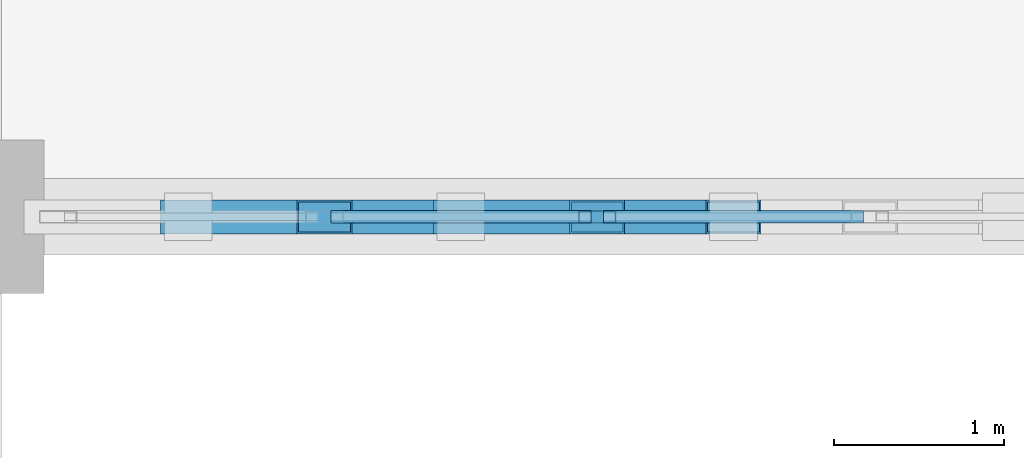
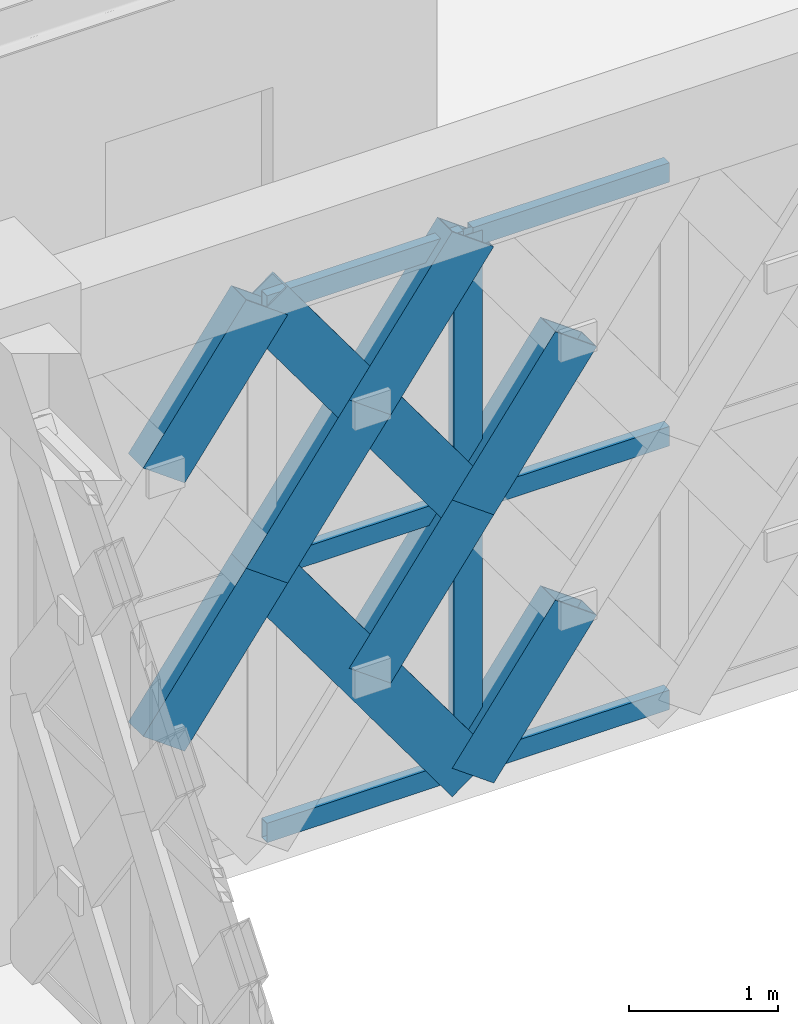
# One storey, part 75 of 155: 16 members, 1 element without a shape of its own.
"""IFC4 building model written with IfcOpenShell, lengths in metres."""

import ifcopenshell
import ifcopenshell.guid

model = None  # the IFC model being written
_history = None  # IfcOwnerHistory: only IFC2X3 demands one
_inside = {}  # id of a spatial element -> (the spatial element, [elements in it])
_under = {}  # id of a project, library or spatial element -> (it, [spatial elements below it])
_declared = {}  # id of a project -> (the project, [libraries it declares])
_typed = {}  # id of a type object -> (the type object, [elements of that type])
_made_of = {}  # id of a material, layer set ... -> (it, [elements and type objects made of it])


def new_model(schema):
    """Start an empty IFC model of exactly this schema.

    Asked for "IFC4X3", IfcOpenShell would pick the latest addendum, in which some entities
    have other attributes; the version numbers below select the first issue.
    IFC2X3 requires an IfcOwnerHistory on every rooted entity: one is made here for all.
    """
    global model, _history
    if schema == "IFC4X3":
        model = ifcopenshell.file(schema_version=(4, 3, 0, 0))
    else:
        model = ifcopenshell.file(schema=schema)
    _inside.clear()
    _under.clear()
    _declared.clear()
    _typed.clear()
    _made_of.clear()
    _history = None
    if model.schema == "IFC2X3":
        org = make("IfcOrganization", Name="unknown")
        user = make(
            "IfcPersonAndOrganization",
            ThePerson=make("IfcPerson", FamilyName="unknown"),
            TheOrganization=org,
        )
        app = make(
            "IfcApplication",
            ApplicationDeveloper=org,
            Version="unknown",
            ApplicationFullName="unknown",
            ApplicationIdentifier="unknown",
        )
        _history = make(
            "IfcOwnerHistory",
            OwningUser=user,
            OwningApplication=app,
            ChangeAction="ADDED",
            CreationDate=0,
        )
    return model


def make(cls, **values):
    """One entity of the class cls with the attributes given. An attribute that is None is left unset."""
    return model.create_entity(
        cls, **{name: value for name, value in values.items() if value is not None}
    )


def rooted(cls, **values):
    """An entity with a GlobalId (a new one), such as an element, a storey or a relation."""
    return make(cls, GlobalId=ifcopenshell.guid.new(), OwnerHistory=_history, **values)


def si_unit(unit_type, name, prefix=None):
    """IfcSIUnit, for example si_unit("LENGTHUNIT", "METRE", prefix="MILLI")."""
    return make("IfcSIUnit", UnitType=unit_type, Prefix=prefix, Name=name)


def assignment(units):
    """IfcUnitAssignment: the units of a project."""
    return None if units is None else make("IfcUnitAssignment", Units=units)


def point(xyz):
    """IfcCartesianPoint."""
    return None if xyz is None else make("IfcCartesianPoint", Coordinates=xyz)


def direction(xyz):
    """IfcDirection."""
    return None if xyz is None else make("IfcDirection", DirectionRatios=xyz)


def frame(location, z_axis=None, x_axis=None):
    """IfcAxis2Placement3D, a coordinate frame: its origin and axes. An axis left out is left unset."""
    return make(
        "IfcAxis2Placement3D",
        Location=point(location),
        Axis=direction(z_axis),
        RefDirection=direction(x_axis),
    )


def frame_2d(location, x_axis=None):
    """IfcAxis2Placement2D, a coordinate frame in the plane: its origin and x axis."""
    return make(
        "IfcAxis2Placement2D", Location=point(location), RefDirection=direction(x_axis)
    )


def origin():
    """The frame at (0, 0, 0) with its axes left unset."""
    return frame((0.0, 0.0, 0.0))


def origin_2d():
    """The frame at (0, 0) in the plane with its x axis left unset."""
    return frame_2d((0.0, 0.0))


def place(relative_to, where):
    """IfcLocalPlacement: puts the frame where relative to a parent placement (None: the world)."""
    return make(
        "IfcLocalPlacement", PlacementRelTo=relative_to, RelativePlacement=where
    )


def context(
    kind, dimensions, precision=None, world=None, true_north=None, identifier=None
):
    """IfcGeometricRepresentationContext, for example the 3D "Model" context."""
    return make(
        "IfcGeometricRepresentationContext",
        ContextIdentifier=identifier,
        ContextType=kind,
        CoordinateSpaceDimension=dimensions,
        Precision=precision,
        WorldCoordinateSystem=world,
        TrueNorth=true_north,
    )


def subcontext(parent, identifier, kind, view, scale=None):
    """IfcGeometricRepresentationSubContext, for example "Body" below "Model"."""
    return make(
        "IfcGeometricRepresentationSubContext",
        ContextIdentifier=identifier,
        ContextType=kind,
        ParentContext=parent,
        TargetScale=scale,
        TargetView=view,
    )


def project(units=None, contexts=None):
    """IfcProject with its units and contexts."""
    return rooted(
        "IfcProject",
        Name="project",
        RepresentationContexts=contexts,
        UnitsInContext=assignment(units),
    )


def spatial(cls, under=None, at=None, **own):
    """A site, building, storey or space (cls), placed at a placement, below another one or the project."""
    s = rooted(cls, ObjectPlacement=at, **own)
    if under is not None:
        _under.setdefault(under.id(), (under, []))[1].append(s)
    return s


def profile(cls, at=None, kind="AREA", **sizes):
    """A parametric profile (cls). Its sizes go by their IFC names, for example OverallWidth=200.0."""
    return make(cls, ProfileType=kind, Position=at, **sizes)


def hollow_rectangle(**sizes):
    """IfcRectangleHollowProfileDef."""
    return profile("IfcRectangleHollowProfileDef", **sizes)


def extrude(swept, where, along, depth):
    """IfcExtrudedAreaSolid: the profile swept, set in the frame where, extruded along a direction by depth."""
    return make(
        "IfcExtrudedAreaSolid",
        SweptArea=swept,
        Position=where,
        ExtrudedDirection=direction(along),
        Depth=depth,
    )


def shape(context_of_items, identifier, shape_type, items):
    """IfcShapeRepresentation: the items that make up one representation, for example the "Body"."""
    return make(
        "IfcShapeRepresentation",
        ContextOfItems=context_of_items,
        RepresentationIdentifier=identifier,
        RepresentationType=shape_type,
        Items=items,
    )


def material(Name=None, Category=None):
    """IfcMaterial."""
    return make("IfcMaterial", Name=Name, Category=Category)


def material_profile(
    of_material, cross_section, Name=None, Category=None, Priority=None
):
    """IfcMaterialProfile: a cross section and its material."""
    return make(
        "IfcMaterialProfile",
        Name=Name,
        Material=of_material,
        Profile=cross_section,
        Priority=Priority,
        Category=Category,
    )


def profile_set(profiles, Name=None, composite=None):
    """IfcMaterialProfileSet."""
    return make(
        "IfcMaterialProfileSet",
        Name=Name,
        MaterialProfiles=profiles,
        CompositeProfile=composite,
    )


def made_of(thing, what):
    """Note that an element or type object is made of a material, layer set ...; save() writes the relation."""
    if what is not None:
        _made_of.setdefault(what.id(), (what, []))[1].append(thing)
    return thing


def type_object(cls, material=None, **own):
    """A type object (cls), such as IfcWallType, which elements share."""
    return made_of(rooted(cls, **own), material)


def element(
    cls,
    number,
    at=None,
    inside=None,
    cuts=None,
    type_object=None,
    material=None,
    context=None,
    identifier="Body",
    shape_type=None,
    held_by="IfcProductDefinitionShape",
    body=None,
    shapes=None,
    **own,
):
    """One element of the class cls, such as IfcWall. Its Tag is "e" and its number.

    at: its placement. inside: the storey or other place that contains it. cuts: it is an
    opening in that element (IfcRelVoidsElement). A single representation is given by context,
    identifier, shape_type and body (its items); several are given by shapes. held_by: the class
    of the entity that holds the representations. save() writes the other relations.
    """
    e = rooted(cls, Tag="e%d" % number, ObjectPlacement=at, **own)
    if body is not None:
        shapes = [shape(context, identifier, shape_type, body)]
    if shapes is not None:
        e.Representation = make(held_by, Representations=shapes)
    if inside is not None:
        _inside.setdefault(inside.id(), (inside, []))[1].append(e)
    if cuts is not None:
        rooted(
            "IfcRelVoidsElement", RelatingBuildingElement=cuts, RelatedOpeningElement=e
        )
    if type_object is not None:
        _typed.setdefault(type_object.id(), (type_object, []))[1].append(e)
    return made_of(e, material)


def aggregate(whole, parts):
    """IfcRelAggregates: a whole, such as a stair, and the parts it consists of."""
    return rooted("IfcRelAggregates", RelatingObject=whole, RelatedObjects=parts)


def save(model, path):
    """Write the relations noted so far, then the file.

    IfcRelAggregates (storeys below a building ...), IfcRelContainedInSpatialStructure (elements
    in a storey), IfcRelDefinesByType, IfcRelAssociatesMaterial and IfcRelDeclares: one each for
    every whole, place, type object, material and project.
    """
    for whole, parts in _under.values():
        aggregate(whole, parts)
    for where, things in _inside.values():
        rooted(
            "IfcRelContainedInSpatialStructure",
            RelatedElements=things,
            RelatingStructure=where,
        )
    for kind, things in _typed.values():
        rooted("IfcRelDefinesByType", RelatedObjects=things, RelatingType=kind)
    for what, things in _made_of.values():
        rooted("IfcRelAssociatesMaterial", RelatedObjects=things, RelatingMaterial=what)
    for by, libraries in _declared.values():
        rooted("IfcRelDeclares", RelatingContext=by, RelatedDefinitions=libraries)
    model.write(path)


model = new_model("IFC4")

# Units and contexts
model_context = context("Model", 3, precision=1e-05, world=origin(), true_north=direction((0.0, 1.0)))
body_context = subcontext(model_context, "Body", "Model", "MODEL_VIEW")
ifc_project = project(units=[si_unit("LENGTHUNIT", "METRE"), si_unit("AREAUNIT", "SQUARE_METRE"), si_unit("VOLUMEUNIT", "CUBIC_METRE"), si_unit("PLANEANGLEUNIT", "RADIAN"), si_unit("MASSUNIT", "GRAM", prefix="KILO")], contexts=[model_context])

# Site, building, storey
site_placement = place(None, origin())
site = spatial("IfcSite", under=ifc_project, at=site_placement, CompositionType="ELEMENT")
building_placement = place(site_placement, origin())
building = spatial("IfcBuilding", under=site, at=building_placement, Name="Haizhuo Lancet Aquarium", CompositionType="ELEMENT")
storey_placement = place(building_placement, frame((0.0, 0.0, 10.800048828125)))
storey = spatial("IfcBuildingStorey", under=building, at=storey_placement, Name="L02", CompositionType="ELEMENT", Elevation=10.800048828125)

# Curtain wall, members
ifc_material_1 = material(Name="Aluminium 6063-T6", Category="aluminium")
curtain_wall_type = type_object("IfcCurtainWallType", Name="CWD-8010x4410", PredefinedType="NOTDEFINED", material=ifc_material_1)
curtain_wall_placement = place(storey_placement, origin())
curtain_wall = element("IfcCurtainWall", 1, at=curtain_wall_placement, inside=storey, type_object=curtain_wall_type, Name="L02 curtain wall CW-V5-L02-155", PredefinedType="NOTDEFINED")
ifc_material_profile_1 = material_profile(ifc_material_1, hollow_rectangle(XDim=0.074951171875, YDim=0.219970703125, WallThickness=0.0048828125, at=origin_2d()), Name="ALU-M 75x220x5")
ifc_profile_set_1 = profile_set([ifc_material_profile_1], Name="Aluminium 6063-T6")
member_type_1 = type_object("IfcMemberType", Name="CW-MUL-2", PredefinedType="MULLION", material=ifc_profile_set_1)
member_1_placement = place(storey_placement, frame((12.698974609375, 36.0, 0.0), z_axis=(0.0, 0.0, 1.0), x_axis=(0.0, -1.0, 0.0)))
member_1 = element("IfcMember", 2, at=member_1_placement, type_object=member_type_1, Name="CWD-80x44 mullion 4", PredefinedType="MULLION", context=body_context, shape_type="SweptSolid", body=[
    extrude(hollow_rectangle(XDim=0.074951171875, YDim=0.219970703125, WallThickness=0.0048828125, at=origin_2d()), origin(), (0.0, 0.0, 1.0), 4.409912109375),
])
ifc_material_profile_2 = material_profile(ifc_material_1, hollow_rectangle(XDim=0.074951171875, YDim=0.159912109375, WallThickness=0.00390625, at=origin_2d()), Name="ALU-T 75x160x4")
ifc_profile_set_2 = profile_set([ifc_material_profile_2], Name="Aluminium 6063-T6")
member_type_2 = type_object("IfcMemberType", Name="CW-TRN-2", PredefinedType="NOTDEFINED", material=ifc_profile_set_2)
member_2_placement = place(storey_placement, frame((14.262939453125, 36.0, 0.037841796875), z_axis=(-1.0, 0.0, 0.0), x_axis=(0.0, -1.0, 0.0)))
member_2 = element("IfcMember", 3, at=member_2_placement, type_object=member_type_2, Name="CWD-80x44 transom 3.1", ObjectType="TRANSOM", PredefinedType="USERDEFINED", context=body_context, shape_type="SweptSolid", body=[
    extrude(hollow_rectangle(XDim=0.074951171875, YDim=0.159912109375, WallThickness=0.00390625, at=origin_2d()), origin(), (0.0, 0.0, 1.0), 1.52685546875),
])
member_3_placement = place(storey_placement, frame((14.262939453125, 36.0, 2.204833984375), z_axis=(-1.0, 0.0, 0.0), x_axis=(0.0, -1.0, 0.0)))
member_3 = element("IfcMember", 4, at=member_3_placement, type_object=member_type_2, Name="CWD-80x44 transom 3.2", ObjectType="TRANSOM", PredefinedType="USERDEFINED", context=body_context, shape_type="SweptSolid", body=[
    extrude(hollow_rectangle(XDim=0.074951171875, YDim=0.159912109375, WallThickness=0.00390625, at=origin_2d()), origin(), (0.0, 0.0, 1.0), 1.52685546875),
])
member_4_placement = place(storey_placement, frame((14.262939453125, 36.0, 4.373046875), z_axis=(-1.0, 0.0, 0.0), x_axis=(0.0, -1.0, 0.0)))
member_4 = element("IfcMember", 5, at=member_4_placement, type_object=member_type_2, Name="CWD-80x44 transom 3.3", ObjectType="TRANSOM", PredefinedType="USERDEFINED", context=body_context, shape_type="SweptSolid", body=[
    extrude(hollow_rectangle(XDim=0.074951171875, YDim=0.159912109375, WallThickness=0.00390625, at=origin_2d()), origin(), (0.0, 0.0, 1.0), 1.52685546875),
])
member_5_placement = place(storey_placement, frame((12.662109375, 36.0, 0.037841796875), z_axis=(-1.0, 0.0, 0.0), x_axis=(0.0, -1.0, 0.0)))
member_5 = element("IfcMember", 6, at=member_5_placement, type_object=member_type_2, Name="CWD-80x44 transom 4.1", ObjectType="TRANSOM", PredefinedType="USERDEFINED", context=body_context, shape_type="SweptSolid", body=[
    extrude(hollow_rectangle(XDim=0.074951171875, YDim=0.159912109375, WallThickness=0.00390625, at=origin_2d()), origin(), (0.0, 0.0, 1.0), 1.528076171875),
])
member_6_placement = place(storey_placement, frame((12.662109375, 36.0, 2.204833984375), z_axis=(-1.0, 0.0, 0.0), x_axis=(0.0, -1.0, 0.0)))
member_6 = element("IfcMember", 7, at=member_6_placement, type_object=member_type_2, Name="CWD-80x44 transom 4.2", ObjectType="TRANSOM", PredefinedType="USERDEFINED", context=body_context, shape_type="SweptSolid", body=[
    extrude(hollow_rectangle(XDim=0.074951171875, YDim=0.159912109375, WallThickness=0.00390625, at=origin_2d()), origin(), (0.0, 0.0, 1.0), 1.528076171875),
])
member_7_placement = place(storey_placement, frame((12.662109375, 36.0, 4.373046875), z_axis=(-1.0, 0.0, 0.0), x_axis=(0.0, -1.0, 0.0)))
member_7 = element("IfcMember", 8, at=member_7_placement, type_object=member_type_2, Name="CWD-80x44 transom 4.3", ObjectType="TRANSOM", PredefinedType="USERDEFINED", context=body_context, shape_type="SweptSolid", body=[
    extrude(hollow_rectangle(XDim=0.074951171875, YDim=0.159912109375, WallThickness=0.00390625, at=origin_2d()), origin(), (0.0, 0.0, 1.0), 1.528076171875),
])
aggregate(curtain_wall, [member_1, member_2, member_3, member_4, member_5, member_6, member_7])

# Members
ifc_material_2 = material(Name="Steel S355", Category="steel")
ifc_material_profile_3 = material_profile(ifc_material_2, hollow_rectangle(XDim=0.199951171875, YDim=0.39990234375, WallThickness=0.011962890625, at=origin_2d()), Name="RHS 200x400x12")
ifc_profile_set_3 = profile_set([ifc_material_profile_3], Name="Steel S355")
member_type_3 = type_object("IfcMemberType", Name="MEM-LB-RHS200x400", PredefinedType="BRACE", material=ifc_profile_set_3)
member_8_placement = place(storey_placement, frame((12.698974609375, 36.0, 0.0), z_axis=(0.587947920096, 0.0, 0.808898784308), x_axis=(0.0, 1.0, 0.0)))
element("IfcMember", 9, at=member_8_placement, inside=storey, type_object=member_type_3, Name="Gothic lancet split diagonal brace CW-V5-L02-155 5B1", PredefinedType="BRACE", context=body_context, shape_type="SweptSolid", body=[
    extrude(hollow_rectangle(XDim=0.199951171875, YDim=0.39990234375, WallThickness=0.011962890625, at=origin_2d()), origin(), (0.0, 0.0, 1.0), 1.3623046875),
])
member_9_placement = place(storey_placement, frame((12.698974609375, 36.0, 2.204833984375), z_axis=(0.58760716657, 0.0, 0.809146351284), x_axis=(0.0, 1.0, 0.0)))
element("IfcMember", 10, at=member_9_placement, inside=storey, type_object=member_type_3, Name="Gothic lancet split diagonal brace CW-V5-L02-155 6B1", PredefinedType="BRACE", context=body_context, shape_type="SweptSolid", body=[
    extrude(hollow_rectangle(XDim=0.199951171875, YDim=0.39990234375, WallThickness=0.011962890625, at=origin_2d()), origin(), (0.0, 0.0, 1.0), 1.36328125),
])
member_10_placement = place(storey_placement, frame((12.698974609375, 36.0, 0.0), z_axis=(-0.587820103443, 0.0, 0.808991672385), x_axis=(0.0, -1.0, 0.0)))
element("IfcMember", 11, at=member_10_placement, inside=storey, type_object=member_type_3, Name="Gothic lancet continuous diagonal brace CW-V5-L02-155 7A", PredefinedType="BRACE", context=body_context, shape_type="SweptSolid", body=[
    extrude(hollow_rectangle(XDim=0.199951171875, YDim=0.39990234375, WallThickness=0.011962890625, at=origin_2d()), origin(), (0.0, 0.0, 1.0), 2.725341796875),
])
member_11_placement = place(storey_placement, frame((11.89794921875, 36.0, 1.10205078125), z_axis=(0.587692327688, 0.0, 0.809084499899), x_axis=(0.0, 1.0, 0.0)))
element("IfcMember", 12, at=member_11_placement, inside=storey, type_object=member_type_3, Name="Gothic lancet split diagonal brace CW-V5-L02-155 7B2", PredefinedType="BRACE", context=body_context, shape_type="SweptSolid", body=[
    extrude(hollow_rectangle(XDim=0.199951171875, YDim=0.39990234375, WallThickness=0.011962890625, at=origin_2d()), origin(), (0.0, 0.0, 1.0), 1.363037109375),
])
member_12_placement = place(storey_placement, frame((12.698974609375, 36.0, 2.204833984375), z_axis=(-0.587777506981, 0.0, 0.809022621617), x_axis=(0.0, -1.0, 0.0)))
element("IfcMember", 13, at=member_12_placement, inside=storey, type_object=member_type_3, Name="Gothic lancet continuous diagonal brace CW-V5-L02-155 8A", PredefinedType="BRACE", context=body_context, shape_type="SweptSolid", body=[
    extrude(hollow_rectangle(XDim=0.199951171875, YDim=0.39990234375, WallThickness=0.011962890625, at=origin_2d()), origin(), (0.0, 0.0, 1.0), 2.7255859375),
])
member_13_placement = place(storey_placement, frame((11.096923828125, 36.0, 2.204833984375), z_axis=(0.58760716657, 0.0, 0.809146351284), x_axis=(0.0, 1.0, 0.0)))
element("IfcMember", 14, at=member_13_placement, inside=storey, type_object=member_type_3, Name="Gothic lancet split diagonal brace CW-V5-L02-155 8B1", PredefinedType="BRACE", context=body_context, shape_type="SweptSolid", body=[
    extrude(hollow_rectangle(XDim=0.199951171875, YDim=0.39990234375, WallThickness=0.011962890625, at=origin_2d()), origin(), (0.0, 0.0, 1.0), 1.36328125),
])
member_14_placement = place(storey_placement, frame((11.89794921875, 36.0, 3.307861328125), z_axis=(0.587947920096, 0.0, 0.808898784308), x_axis=(0.0, 1.0, 0.0)))
element("IfcMember", 15, at=member_14_placement, inside=storey, type_object=member_type_3, Name="Gothic lancet split diagonal brace CW-V5-L02-155 8B2", PredefinedType="BRACE", context=body_context, shape_type="SweptSolid", body=[
    extrude(hollow_rectangle(XDim=0.199951171875, YDim=0.39990234375, WallThickness=0.011962890625, at=origin_2d()), origin(), (0.0, 0.0, 1.0), 1.3623046875),
])
member_15_placement = place(storey_placement, frame((10.2958984375, 36.0, 1.10205078125), z_axis=(0.587692327688, 0.0, 0.809084499899), x_axis=(0.0, 1.0, 0.0)))
element("IfcMember", 16, at=member_15_placement, inside=storey, type_object=member_type_3, Name="Gothic lancet split diagonal brace CW-V5-L02-155 9B2", PredefinedType="BRACE", context=body_context, shape_type="SweptSolid", body=[
    extrude(hollow_rectangle(XDim=0.199951171875, YDim=0.39990234375, WallThickness=0.011962890625, at=origin_2d()), origin(), (0.0, 0.0, 1.0), 1.363037109375),
])
member_16_placement = place(storey_placement, frame((10.2958984375, 36.0, 3.307861328125), z_axis=(0.587947920096, 0.0, 0.808898784308), x_axis=(0.0, 1.0, 0.0)))
element("IfcMember", 17, at=member_16_placement, inside=storey, type_object=member_type_3, Name="Gothic lancet split diagonal brace CW-V5-L02-155 10B2", PredefinedType="BRACE", context=body_context, shape_type="SweptSolid", body=[
    extrude(hollow_rectangle(XDim=0.199951171875, YDim=0.39990234375, WallThickness=0.011962890625, at=origin_2d()), origin(), (0.0, 0.0, 1.0), 1.3623046875),
])

save(model, "model.ifc")
